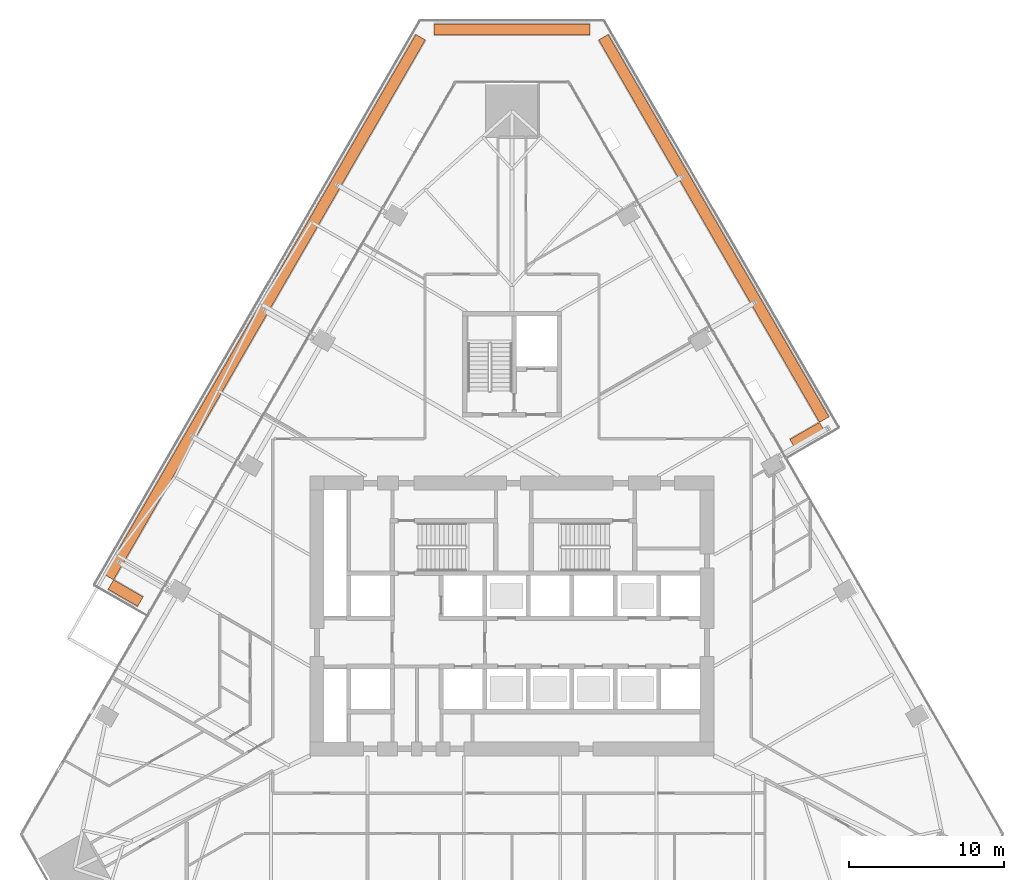
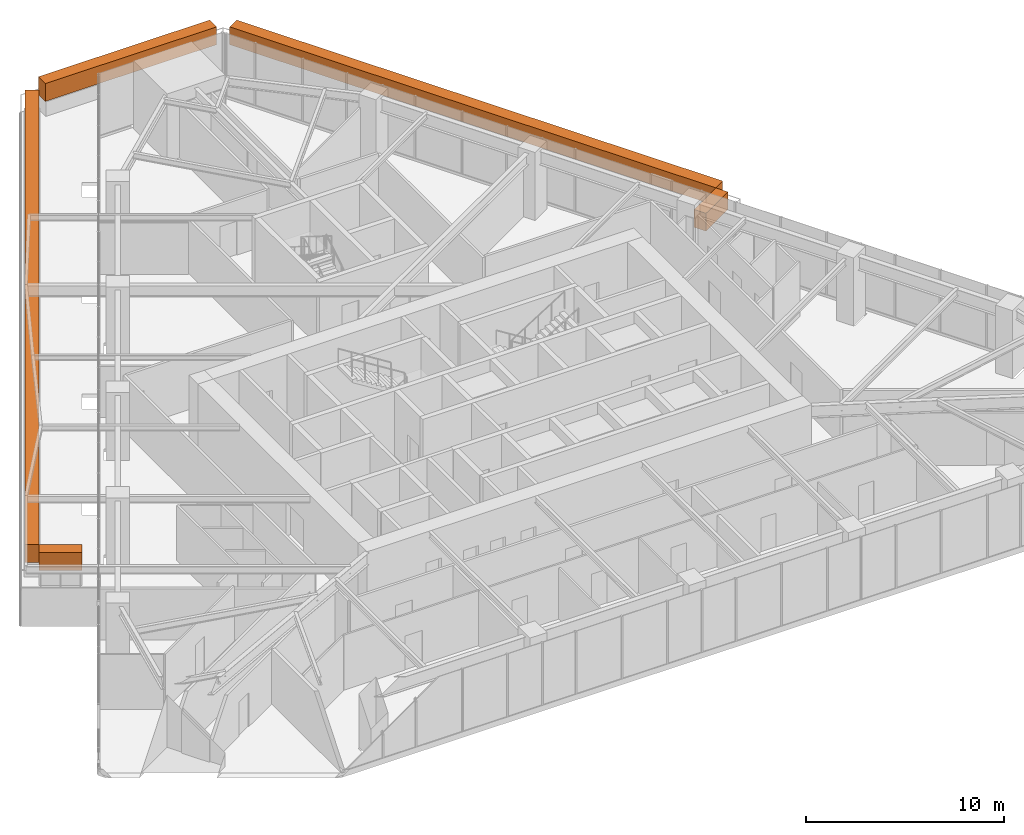
# One storey, part 26 of 26: 5 geographic elements.
"""IFC4 building model written with IfcOpenShell, lengths in metres."""

from ifc_helpers import new_model, si_unit, direction, frame, origin, origin_2d, place, context, subcontext, project, spatial, rectangle, extrude, material, type_object, element, save


model = new_model("IFC4")

# Units and contexts
model_context = context("Model", 3, precision=1e-05, world=origin(), true_north=direction((0.0, 1.0)))
body_context = subcontext(model_context, "Body", "Model", "MODEL_VIEW")
ifc_project = project(units=[si_unit("LENGTHUNIT", "METRE"), si_unit("AREAUNIT", "SQUARE_METRE"), si_unit("VOLUMEUNIT", "CUBIC_METRE"), si_unit("PLANEANGLEUNIT", "RADIAN"), si_unit("MASSUNIT", "GRAM", prefix="KILO")], contexts=[model_context])

# Site, building, storey
site_placement = place(None, origin())
site = spatial("IfcSite", under=ifc_project, at=site_placement, CompositionType="ELEMENT")
building_placement = place(site_placement, origin())
building = spatial("IfcBuilding", under=site, at=building_placement, Name="Firuza Gate Tower and Library", CompositionType="ELEMENT")
storey_placement = place(building_placement, frame((0.0, 0.0, 115.60009765625)))
storey = spatial("IfcBuildingStorey", under=building, at=storey_placement, Name="L26", CompositionType="ELEMENT", Elevation=115.60009765625)

# Geographic elements
ifc_material = material(Name="Foliage")
geographic_element_type = type_object("IfcGeographicElementType", Name="Planted hedge", PredefinedType="USERDEFINED", material=ifc_material)
geographic_element_1_placement = place(storey_placement, frame((94.0146484375, 86.61328125, 0.89990234375), z_axis=(0.0, 0.0, 1.0), x_axis=(0.866025403784, 0.5, 0.0)))
element("IfcGeographicElement", 1, at=geographic_element_1_placement, inside=storey, type_object=geographic_element_type, Name="Planted hedge", ObjectType="HEDGE", PredefinedType="USERDEFINED", context=body_context, shape_type="SweptSolid", body=[
    extrude(rectangle(XDim=2.199951171875, YDim=0.699951171875, at=origin_2d()), origin(), (0.0, 0.0, 1.0), 1.10009765625),
])
geographic_element_2_placement = place(storey_placement, frame((87.9892578125, 99.949462890625, 0.89990234375), z_axis=(0.0, 0.0, 1.0), x_axis=(-0.5, 0.866025403784, 0.0)))
element("IfcGeographicElement", 2, at=geographic_element_2_placement, inside=storey, type_object=geographic_element_type, Name="Planted hedge", ObjectType="HEDGE", PredefinedType="USERDEFINED", context=body_context, shape_type="SweptSolid", body=[
    extrude(rectangle(XDim=28.424560546875, YDim=0.699951171875, at=origin_2d()), origin(), (0.0, 0.0, 1.0), 1.10009765625),
])
geographic_element_3_placement = place(storey_placement, frame((75.0, 112.76220703125, 0.89990234375), z_axis=(0.0, 0.0, 1.0), x_axis=(-1.0, 0.0, 0.0)))
element("IfcGeographicElement", 3, at=geographic_element_3_placement, inside=storey, type_object=geographic_element_type, Name="Planted hedge", ObjectType="HEDGE", PredefinedType="USERDEFINED", context=body_context, shape_type="SweptSolid", body=[
    extrude(rectangle(XDim=10.018798828125, YDim=0.699951171875, at=origin_2d()), origin(), (0.0, 0.0, 1.0), 1.10009765625),
])
geographic_element_4_placement = place(storey_placement, frame((59.08447265625, 94.881103515625, 0.89990234375), z_axis=(0.0, 0.0, 1.0), x_axis=(-0.5, -0.866025403784, 0.0)))
element("IfcGeographicElement", 4, at=geographic_element_4_placement, inside=storey, type_object=geographic_element_type, Name="Planted hedge", ObjectType="HEDGE", PredefinedType="USERDEFINED", context=body_context, shape_type="SweptSolid", body=[
    extrude(rectangle(XDim=40.129638671875, YDim=0.699951171875, at=origin_2d()), origin(), (0.0, 0.0, 1.0), 1.10009765625),
])
geographic_element_5_placement = place(storey_placement, frame((50.1328125, 76.476318359375, 0.89990234375), z_axis=(0.0, 0.0, 1.0), x_axis=(0.866025403784, -0.5, 0.0)))
element("IfcGeographicElement", 5, at=geographic_element_5_placement, inside=storey, type_object=geographic_element_type, Name="Planted hedge", ObjectType="HEDGE", PredefinedType="USERDEFINED", context=body_context, shape_type="SweptSolid", body=[
    extrude(rectangle(XDim=2.199951171875, YDim=0.699951171875, at=origin_2d()), origin(), (0.0, 0.0, 1.0), 1.10009765625),
])

save(model, "model.ifc")
